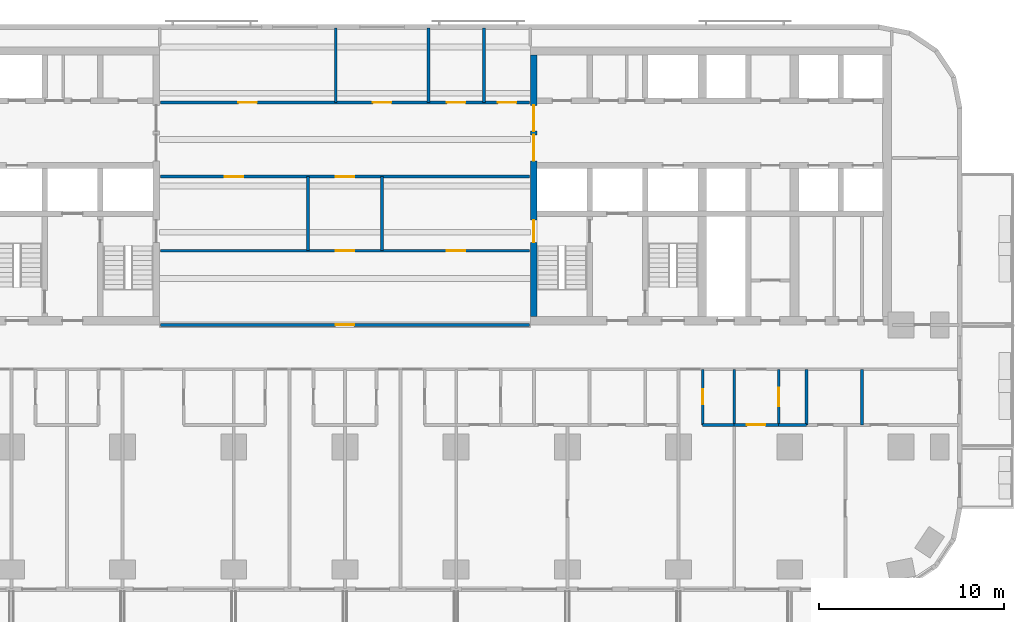
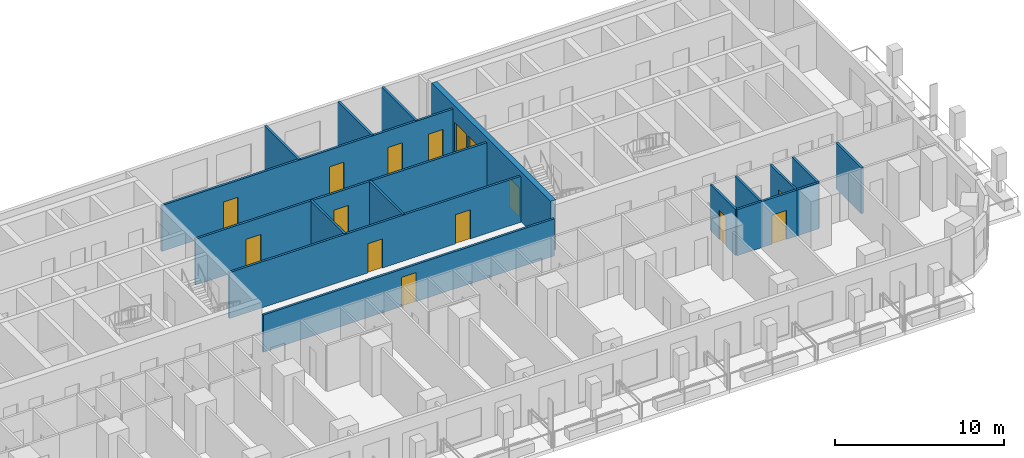
# One storey, part 7 of 15: 18 walls, 15 doors, 15 openings.
"""IFC4 building model written with IfcOpenShell, lengths in metres."""

from ifc_helpers import new_model, si_unit, direction, frame, frame_2d, origin, place, context, subcontext, project, spatial, rectangle, extrude, material, layer, layer_set, type_object, element, fill, save


model = new_model("IFC4")

# Units and contexts
model_context = context("Model", 3, precision=1e-05, world=origin(), true_north=direction((0.0, 1.0)))
body_context = subcontext(model_context, "Body", "Model", "MODEL_VIEW")
ifc_project = project(units=[si_unit("LENGTHUNIT", "METRE"), si_unit("AREAUNIT", "SQUARE_METRE"), si_unit("VOLUMEUNIT", "CUBIC_METRE"), si_unit("PLANEANGLEUNIT", "RADIAN"), si_unit("MASSUNIT", "GRAM", prefix="KILO")], contexts=[model_context])

# Site, building, storey
site_placement = place(None, origin())
site = spatial("IfcSite", under=ifc_project, at=site_placement, CompositionType="ELEMENT")
building_placement = place(site_placement, origin())
building = spatial("IfcBuilding", under=site, at=building_placement, Name="Torana Hotel and Residences", CompositionType="ELEMENT")
storey_placement = place(building_placement, frame((0.0, 0.0, 49.199951171875)))
storey = spatial("IfcBuildingStorey", under=building, at=storey_placement, Name="L11", CompositionType="ELEMENT", Elevation=49.199951171875)

# Wall, openings, doors
ifc_material_1 = material(Name="Concrete C80/95", Category="concrete")
ifc_layer_1 = layer(ifc_material_1, 0.35009765625)
ifc_layer_set_1 = layer_set([ifc_layer_1], Name="CORE WALL 350 C80/95")
wall_type_1 = type_object("IfcWallType", Name="CORE WALL 350 C80/95", PredefinedType="SHEAR", material=ifc_layer_set_1)
wall_1_placement = place(storey_placement, frame((10.175048828125, -14.550048828125, 0.0), z_axis=(0.0, 0.0, 1.0), x_axis=(0.0, 1.0, 0.0)))
wall_1 = element("IfcWall", 1, at=wall_1_placement, inside=storey, type_object=wall_type_1, Name="Core wall E arch", PredefinedType="SHEAR", context=body_context, shape_type="SweptSolid", body=[
    extrude(rectangle(XDim=14.10009765625, YDim=0.35009765625, at=frame_2d((7.050048828125, 0.0))), origin(), (0.0, 0.0, 1.0), 3.60009765625),
])
opening_1_placement = place(wall_1_placement, frame((8.39990234375, 0.0, 0.0)))
opening_1 = element("IfcOpeningElement", 2, at=opening_1_placement, cuts=wall_1, Name="Opening L11-19", PredefinedType="OPENING", context=body_context, shape_type="SweptSolid", body=[
    extrude(rectangle(XDim=1.39990234375, YDim=2.39990234375, at=frame_2d((0.699951171875, 1.199951171875))), frame((0.0, 0.18505859375, 0.0), z_axis=(0.0, -1.0, 0.0), x_axis=(1.0, 0.0, 0.0)), (0.0, 0.0, 1.0), 0.3701171875),
])
opening_2_placement = place(wall_1_placement, frame((10.0, 0.0, 0.0)))
opening_2 = element("IfcOpeningElement", 3, at=opening_2_placement, cuts=wall_1, Name="Opening L11-20", PredefinedType="OPENING", context=body_context, shape_type="SweptSolid", body=[
    extrude(rectangle(XDim=1.39990234375, YDim=2.39990234375, at=frame_2d((0.699951171875, 1.199951171875))), frame((0.0, 0.18505859375, 0.0), z_axis=(0.0, -1.0, 0.0), x_axis=(1.0, 0.0, 0.0)), (0.0, 0.0, 1.0), 0.3701171875),
])
opening_3_placement = place(wall_1_placement, frame((4.0, 0.0, 0.0)))
opening_3 = element("IfcOpeningElement", 4, at=opening_3_placement, cuts=wall_1, Name="Opening L11-21", PredefinedType="OPENING", context=body_context, shape_type="SweptSolid", body=[
    extrude(rectangle(XDim=1.199951171875, YDim=2.10009765625, at=frame_2d((0.60009765625, 1.050048828125))), frame((0.0, 0.18505859375, 0.0), z_axis=(0.0, -1.0, 0.0), x_axis=(1.0, 0.0, 0.0)), (0.0, 0.0, 1.0), 0.3701171875),
])
ifc_material_2 = material(Name="Steel S235", Category="steel")
door_type_1 = type_object("IfcDoorType", Name="LOBBY FIRE DOOR D4 1400x2400", OperationType="DOUBLE_DOOR_SINGLE_SWING", PredefinedType="DOOR", material=ifc_material_2)
door_1_placement = place(opening_1_placement, origin())
door_1 = element("IfcDoor", 5, at=door_1_placement, inside=storey, type_object=door_type_1, Name="Lobby-1 door L11", OperationType="DOUBLE_DOOR_SINGLE_SWING", OverallHeight=2.39990234375, OverallWidth=1.39990234375, PredefinedType="DOOR", context=body_context, shape_type="SweptSolid", body=[
    extrude(rectangle(XDim=1.39990234375, YDim=2.39990234375, at=frame_2d((0.699951171875, 1.199951171875))), frame((0.0, 0.02490234375, 0.0), z_axis=(0.0, -1.0, 0.0), x_axis=(1.0, 0.0, 0.0)), (0.0, 0.0, 1.0), 0.050048828125),
])
fill(opening_1, door_1)
door_2_placement = place(opening_2_placement, origin())
door_2 = element("IfcDoor", 6, at=door_2_placement, inside=storey, type_object=door_type_1, Name="Lobby-2 door L11", OperationType="DOUBLE_DOOR_SINGLE_SWING", OverallHeight=2.39990234375, OverallWidth=1.39990234375, PredefinedType="DOOR", context=body_context, shape_type="SweptSolid", body=[
    extrude(rectangle(XDim=1.39990234375, YDim=2.39990234375, at=frame_2d((0.699951171875, 1.199951171875))), frame((0.0, 0.02490234375, 0.0), z_axis=(0.0, -1.0, 0.0), x_axis=(1.0, 0.0, 0.0)), (0.0, 0.0, 1.0), 0.050048828125),
])
fill(opening_2, door_2)
ifc_material_3 = material(Name="Steel S235", Category="steel")
door_type_2 = type_object("IfcDoorType", Name="STAIR FIRE DOOR D3 1200x2100", OperationType="SINGLE_SWING_LEFT", PredefinedType="DOOR", material=ifc_material_3)
door_3_placement = place(opening_3_placement, frame((0.60009765625, 0.0, 0.0), z_axis=(0.0, 0.0, 1.0), x_axis=(-1.0, 0.0, 0.0)))
door_3 = element("IfcDoor", 7, at=door_3_placement, inside=storey, type_object=door_type_2, Name="Stair-A door L11", OperationType="SINGLE_SWING_RIGHT", OverallHeight=2.10009765625, OverallWidth=1.199951171875, PredefinedType="DOOR", context=body_context, shape_type="SweptSolid", body=[
    extrude(rectangle(XDim=1.199951171875, YDim=2.10009765625, at=frame_2d((0.0, 1.050048828125))), frame((0.0, -0.02490234375, 0.0), z_axis=(0.0, 1.0, 0.0), x_axis=(-1.0, 0.0, 0.0)), (0.0, 0.0, 1.0), 0.050048828125),
])
fill(opening_3, door_3)

# Wall, opening, door
ifc_material_4 = material(Name="Gypsum plaster")
ifc_layer_2 = layer(ifc_material_4, 0.014892578125, Name="Plaster", Category="finish")
ifc_material_5 = material(Name="Concrete blockwork", Category="masonry")
ifc_layer_3 = layer(ifc_material_5, 0.1201171875, Name="Blockwork", Category="structure")
ifc_layer_4 = layer(ifc_material_4, 0.014892578125, Name="Plaster", Category="finish")
ifc_layer_set_2 = layer_set([ifc_layer_2, ifc_layer_3, ifc_layer_4], Name="FIRE PARTITION 150 BLOCKWORK")
wall_type_2 = type_object("IfcWallType", Name="FIRE PARTITION 150 BLOCKWORK", PredefinedType="PARTITIONING", material=ifc_layer_set_2)
wall_2_placement = place(storey_placement, frame((23.39990234375, -20.39990234375, 0.0), z_axis=(0.0, 0.0, 1.0), x_axis=(0.0, 1.0, 0.0)))
wall_2 = element("IfcWall", 8, at=wall_2_placement, inside=storey, type_object=wall_type_2, Name="Partition L11", PredefinedType="PARTITIONING", context=body_context, shape_type="SweptSolid", body=[
    extrude(rectangle(XDim=3.0, YDim=0.14990234375, at=frame_2d((1.5, 0.0))), origin(), (0.0, 0.0, 1.0), 3.320068359375),
])
opening_4_placement = place(wall_2_placement, frame((1.02001953125, 0.0, 0.0)))
opening_4 = element("IfcOpeningElement", 9, at=opening_4_placement, cuts=wall_2, Name="Opening L11-84", PredefinedType="OPENING", context=body_context, shape_type="SweptSolid", body=[
    extrude(rectangle(XDim=1.0, YDim=2.10009765625, at=frame_2d((0.5, 1.050048828125))), frame((0.0, 0.0849609375, 0.0), z_axis=(0.0, -1.0, 0.0), x_axis=(1.0, 0.0, 0.0)), (0.0, 0.0, 1.0), 0.169921875),
])
ifc_material_6 = material(Name="Steel S235", Category="steel")
door_type_3 = type_object("IfcDoorType", Name="ENTRY FIRE DOOR D6 1000x2100", OperationType="SINGLE_SWING_LEFT", PredefinedType="DOOR", material=ifc_material_6)
door_4_placement = place(opening_4_placement, frame((0.5, 0.0, 0.0), z_axis=(0.0, 0.0, 1.0), x_axis=(-1.0, 0.0, 0.0)))
door_4 = element("IfcDoor", 10, at=door_4_placement, inside=storey, type_object=door_type_3, Name="Door L11", OperationType="SINGLE_SWING_LEFT", OverallHeight=2.10009765625, OverallWidth=1.0, PredefinedType="DOOR", context=body_context, shape_type="SweptSolid", body=[
    extrude(rectangle(XDim=1.0, YDim=2.10009765625, at=frame_2d((0.0, 1.050048828125))), frame((0.0, -0.02490234375, 0.0), z_axis=(0.0, 1.0, 0.0), x_axis=(-1.0, 0.0, 0.0)), (0.0, 0.0, 1.0), 0.050048828125),
])
fill(opening_4, door_4)

# Walls
wall_3_placement = place(storey_placement, frame((21.0, -20.39990234375, 0.0), z_axis=(0.0, 0.0, 1.0), x_axis=(0.0, 1.0, 0.0)))
element("IfcWall", 11, at=wall_3_placement, inside=storey, type_object=wall_type_2, Name="Partition L11", PredefinedType="PARTITIONING", context=body_context, shape_type="SweptSolid", body=[
    extrude(rectangle(XDim=3.0, YDim=0.14990234375, at=frame_2d((1.5, 0.0))), origin(), (0.0, 0.0, 1.0), 3.320068359375),
])
for number, where, z_axis, x_axis, name in (
    (12, (2.0, -11.0, 0.0), (0.0, 0.0, 1.0), (0.0, 1.0, 0.0), "Partition L11"),
    (13, (-2.0, -11.0, 0.0), (0.0, 0.0, 1.0), (0.0, 1.0, 0.0), "Partition L11"),
):
    element("IfcWall", number, at=place(storey_placement, frame(where, z_axis=z_axis, x_axis=x_axis)), inside=storey, type_object=wall_type_2, Name=name, PredefinedType="PARTITIONING", context=body_context, shape_type="SweptSolid", body=[
        extrude(rectangle(XDim=4.0, YDim=0.14990234375, at=frame_2d((2.0, 0.0))), origin(), (0.0, 0.0, 1.0), 3.320068359375),
    ])

# Wall, opening, door
wall_4_placement = place(storey_placement, frame((21.0, -20.39990234375, 0.0), z_axis=(0.0, 0.0, 1.0), x_axis=(1.0, 0.0, 0.0)))
wall_4 = element("IfcWall", 14, at=wall_4_placement, inside=storey, type_object=wall_type_2, Name="Partition L11", PredefinedType="PARTITIONING", context=body_context, shape_type="SweptSolid", body=[
    extrude(rectangle(XDim=2.39990234375, YDim=0.14990234375, at=frame_2d((1.199951171875, 0.0))), origin(), (0.0, 0.0, 1.0), 3.320068359375),
])
opening_5_placement = place(wall_4_placement, frame((0.679931640625, 0.0, 0.0)))
opening_5 = element("IfcOpeningElement", 15, at=opening_5_placement, cuts=wall_4, Name="Opening L11-85", PredefinedType="OPENING", context=body_context, shape_type="SweptSolid", body=[
    extrude(rectangle(XDim=1.0, YDim=2.10009765625, at=frame_2d((0.5, 1.050048828125))), frame((0.0, 0.0849609375, 0.0), z_axis=(0.0, -1.0, 0.0), x_axis=(1.0, 0.0, 0.0)), (0.0, 0.0, 1.0), 0.169921875),
])
door_5_placement = place(opening_5_placement, frame((0.5, 0.0, 0.0), z_axis=(0.0, 0.0, 1.0), x_axis=(-1.0, 0.0, 0.0)))
door_5 = element("IfcDoor", 16, at=door_5_placement, inside=storey, type_object=door_type_3, Name="Door L11", OperationType="SINGLE_SWING_LEFT", OverallHeight=2.10009765625, OverallWidth=1.0, PredefinedType="DOOR", context=body_context, shape_type="SweptSolid", body=[
    extrude(rectangle(XDim=1.0, YDim=2.10009765625, at=frame_2d((0.0, 1.050048828125))), frame((0.0, -0.02490234375, 0.0), z_axis=(0.0, 1.0, 0.0), x_axis=(-1.0, 0.0, 0.0)), (0.0, 0.0, 1.0), 0.050048828125),
])
fill(opening_5, door_5)

wall_5_placement = place(storey_placement, frame((-9.949951171875, -15.0, 0.0), z_axis=(0.0, 0.0, 1.0), x_axis=(1.0, 0.0, 0.0)))
wall_5 = element("IfcWall", 17, at=wall_5_placement, inside=storey, type_object=wall_type_2, Name="Partition L11", PredefinedType="PARTITIONING", context=body_context, shape_type="SweptSolid", body=[
    extrude(rectangle(XDim=19.89990234375, YDim=0.14990234375, at=frame_2d((9.949951171875, 0.0))), origin(), (0.0, 0.0, 1.0), 2.68408203125),
])
opening_6_placement = place(wall_5_placement, frame((9.449951171875, 0.0, 0.0)))
opening_6 = element("IfcOpeningElement", 18, at=opening_6_placement, cuts=wall_5, Name="Opening L11-39", PredefinedType="OPENING", context=body_context, shape_type="SweptSolid", body=[
    extrude(rectangle(XDim=1.0, YDim=2.10009765625, at=frame_2d((0.5, 1.050048828125))), frame((0.0, 0.0849609375, 0.0), z_axis=(0.0, -1.0, 0.0), x_axis=(1.0, 0.0, 0.0)), (0.0, 0.0, 1.0), 0.169921875),
])
door_6_placement = place(opening_6_placement, origin())
door_6 = element("IfcDoor", 19, at=door_6_placement, inside=storey, type_object=door_type_3, Name="Door L11", OperationType="SINGLE_SWING_RIGHT", OverallHeight=2.10009765625, OverallWidth=1.0, PredefinedType="DOOR", context=body_context, shape_type="SweptSolid", body=[
    extrude(rectangle(XDim=1.0, YDim=2.10009765625, at=frame_2d((0.5, 1.050048828125))), frame((0.0, 0.02490234375, 0.0), z_axis=(0.0, -1.0, 0.0), x_axis=(1.0, 0.0, 0.0)), (0.0, 0.0, 1.0), 0.050048828125),
])
fill(opening_6, door_6)

# Wall, openings, doors
wall_6_placement = place(storey_placement, frame((-9.949951171875, -11.0, 0.0), z_axis=(0.0, 0.0, 1.0), x_axis=(1.0, 0.0, 0.0)))
wall_6 = element("IfcWall", 20, at=wall_6_placement, inside=storey, type_object=wall_type_2, Name="Partition L11", PredefinedType="PARTITIONING", context=body_context, shape_type="SweptSolid", body=[
    extrude(rectangle(XDim=19.89990234375, YDim=0.14990234375, at=frame_2d((9.949951171875, 0.0))), origin(), (0.0, 0.0, 1.0), 3.320068359375),
])
opening_7_placement = place(wall_6_placement, frame((9.449951171875, 0.0, 0.0)))
opening_7 = element("IfcOpeningElement", 21, at=opening_7_placement, cuts=wall_6, Name="Opening L11-55", PredefinedType="OPENING", context=body_context, shape_type="SweptSolid", body=[
    extrude(rectangle(XDim=1.0, YDim=2.10009765625, at=frame_2d((0.5, 1.050048828125))), frame((0.0, 0.0849609375, 0.0), z_axis=(0.0, -1.0, 0.0), x_axis=(1.0, 0.0, 0.0)), (0.0, 0.0, 1.0), 0.169921875),
])
opening_8_placement = place(wall_6_placement, frame((15.449951171875, 0.0, 0.0)))
opening_8 = element("IfcOpeningElement", 22, at=opening_8_placement, cuts=wall_6, Name="Opening L11-56", PredefinedType="OPENING", context=body_context, shape_type="SweptSolid", body=[
    extrude(rectangle(XDim=1.0, YDim=2.10009765625, at=frame_2d((0.5, 1.050048828125))), frame((0.0, 0.0849609375, 0.0), z_axis=(0.0, -1.0, 0.0), x_axis=(1.0, 0.0, 0.0)), (0.0, 0.0, 1.0), 0.169921875),
])
door_7_placement = place(opening_7_placement, origin())
door_7 = element("IfcDoor", 23, at=door_7_placement, inside=storey, type_object=door_type_3, Name="Door L11", OperationType="SINGLE_SWING_RIGHT", OverallHeight=2.10009765625, OverallWidth=1.0, PredefinedType="DOOR", context=body_context, shape_type="SweptSolid", body=[
    extrude(rectangle(XDim=1.0, YDim=2.10009765625, at=frame_2d((0.5, 1.050048828125))), frame((0.0, 0.02490234375, 0.0), z_axis=(0.0, -1.0, 0.0), x_axis=(1.0, 0.0, 0.0)), (0.0, 0.0, 1.0), 0.050048828125),
])
fill(opening_7, door_7)
door_8_placement = place(opening_8_placement, origin())
door_8 = element("IfcDoor", 24, at=door_8_placement, inside=storey, type_object=door_type_3, Name="Door L11", OperationType="SINGLE_SWING_RIGHT", OverallHeight=2.10009765625, OverallWidth=1.0, PredefinedType="DOOR", context=body_context, shape_type="SweptSolid", body=[
    extrude(rectangle(XDim=1.0, YDim=2.10009765625, at=frame_2d((0.5, 1.050048828125))), frame((0.0, 0.02490234375, 0.0), z_axis=(0.0, -1.0, 0.0), x_axis=(1.0, 0.0, 0.0)), (0.0, 0.0, 1.0), 0.050048828125),
])
fill(opening_8, door_8)

wall_7_placement = place(storey_placement, frame((-9.949951171875, -7.0, 0.0), z_axis=(0.0, 0.0, 1.0), x_axis=(1.0, 0.0, 0.0)))
wall_7 = element("IfcWall", 25, at=wall_7_placement, inside=storey, type_object=wall_type_2, Name="Partition L11", PredefinedType="PARTITIONING", context=body_context, shape_type="SweptSolid", body=[
    extrude(rectangle(XDim=19.89990234375, YDim=0.14990234375, at=frame_2d((9.949951171875, 0.0))), origin(), (0.0, 0.0, 1.0), 3.320068359375),
])
opening_9_placement = place(wall_7_placement, frame((9.449951171875, 0.0, 0.0)))
opening_9 = element("IfcOpeningElement", 26, at=opening_9_placement, cuts=wall_7, Name="Opening L11-57", PredefinedType="OPENING", context=body_context, shape_type="SweptSolid", body=[
    extrude(rectangle(XDim=1.0, YDim=2.10009765625, at=frame_2d((0.5, 1.050048828125))), frame((0.0, 0.0849609375, 0.0), z_axis=(0.0, -1.0, 0.0), x_axis=(1.0, 0.0, 0.0)), (0.0, 0.0, 1.0), 0.169921875),
])
opening_10_placement = place(wall_7_placement, frame((3.449951171875, 0.0, 0.0)))
opening_10 = element("IfcOpeningElement", 27, at=opening_10_placement, cuts=wall_7, Name="Opening L11-58", PredefinedType="OPENING", context=body_context, shape_type="SweptSolid", body=[
    extrude(rectangle(XDim=1.0, YDim=2.10009765625, at=frame_2d((0.5, 1.050048828125))), frame((0.0, 0.0849609375, 0.0), z_axis=(0.0, -1.0, 0.0), x_axis=(1.0, 0.0, 0.0)), (0.0, 0.0, 1.0), 0.169921875),
])
door_9_placement = place(opening_9_placement, origin())
door_9 = element("IfcDoor", 28, at=door_9_placement, inside=storey, type_object=door_type_3, Name="Door L11", OperationType="SINGLE_SWING_RIGHT", OverallHeight=2.10009765625, OverallWidth=1.0, PredefinedType="DOOR", context=body_context, shape_type="SweptSolid", body=[
    extrude(rectangle(XDim=1.0, YDim=2.10009765625, at=frame_2d((0.5, 1.050048828125))), frame((0.0, 0.02490234375, 0.0), z_axis=(0.0, -1.0, 0.0), x_axis=(1.0, 0.0, 0.0)), (0.0, 0.0, 1.0), 0.050048828125),
])
fill(opening_9, door_9)
door_10_placement = place(opening_10_placement, frame((0.5, 0.0, 0.0), z_axis=(0.0, 0.0, 1.0), x_axis=(-1.0, 0.0, 0.0)))
door_10 = element("IfcDoor", 29, at=door_10_placement, inside=storey, type_object=door_type_3, Name="Door L11", OperationType="SINGLE_SWING_LEFT", OverallHeight=2.10009765625, OverallWidth=1.0, PredefinedType="DOOR", context=body_context, shape_type="SweptSolid", body=[
    extrude(rectangle(XDim=1.0, YDim=2.10009765625, at=frame_2d((0.0, 1.050048828125))), frame((0.0, -0.02490234375, 0.0), z_axis=(0.0, 1.0, 0.0), x_axis=(-1.0, 0.0, 0.0)), (0.0, 0.0, 1.0), 0.050048828125),
])
fill(opening_10, door_10)

wall_8_placement = place(storey_placement, frame((-9.949951171875, -3.0, 0.0), z_axis=(0.0, 0.0, 1.0), x_axis=(1.0, 0.0, 0.0)))
wall_8 = element("IfcWall", 30, at=wall_8_placement, inside=storey, type_object=wall_type_2, Name="Partition L11", PredefinedType="PARTITIONING", context=body_context, shape_type="SweptSolid", body=[
    extrude(rectangle(XDim=19.89990234375, YDim=0.14990234375, at=frame_2d((9.949951171875, 0.0))), origin(), (0.0, 0.0, 1.0), 3.320068359375),
])
opening_11_placement = place(wall_8_placement, frame((4.199951171875, 0.0, 0.0)))
opening_11 = element("IfcOpeningElement", 31, at=opening_11_placement, cuts=wall_8, Name="Opening L11-59", PredefinedType="OPENING", context=body_context, shape_type="SweptSolid", body=[
    extrude(rectangle(XDim=1.0, YDim=2.10009765625, at=frame_2d((0.5, 1.050048828125))), frame((0.0, 0.0849609375, 0.0), z_axis=(0.0, -1.0, 0.0), x_axis=(1.0, 0.0, 0.0)), (0.0, 0.0, 1.0), 0.169921875),
])
opening_12_placement = place(wall_8_placement, frame((11.449951171875, 0.0, 0.0)))
opening_12 = element("IfcOpeningElement", 32, at=opening_12_placement, cuts=wall_8, Name="Opening L11-60", PredefinedType="OPENING", context=body_context, shape_type="SweptSolid", body=[
    extrude(rectangle(XDim=1.0, YDim=2.10009765625, at=frame_2d((0.5, 1.050048828125))), frame((0.0, 0.0849609375, 0.0), z_axis=(0.0, -1.0, 0.0), x_axis=(1.0, 0.0, 0.0)), (0.0, 0.0, 1.0), 0.169921875),
])
opening_13_placement = place(wall_8_placement, frame((15.449951171875, 0.0, 0.0)))
opening_13 = element("IfcOpeningElement", 33, at=opening_13_placement, cuts=wall_8, Name="Opening L11-61", PredefinedType="OPENING", context=body_context, shape_type="SweptSolid", body=[
    extrude(rectangle(XDim=1.0, YDim=2.10009765625, at=frame_2d((0.5, 1.050048828125))), frame((0.0, 0.0849609375, 0.0), z_axis=(0.0, -1.0, 0.0), x_axis=(1.0, 0.0, 0.0)), (0.0, 0.0, 1.0), 0.169921875),
])
opening_14_placement = place(wall_8_placement, frame((18.199951171875, 0.0, 0.0)))
opening_14 = element("IfcOpeningElement", 34, at=opening_14_placement, cuts=wall_8, Name="Opening L11-62", PredefinedType="OPENING", context=body_context, shape_type="SweptSolid", body=[
    extrude(rectangle(XDim=1.0, YDim=2.10009765625, at=frame_2d((0.5, 1.050048828125))), frame((0.0, 0.0849609375, 0.0), z_axis=(0.0, -1.0, 0.0), x_axis=(1.0, 0.0, 0.0)), (0.0, 0.0, 1.0), 0.169921875),
])
door_11_placement = place(opening_11_placement, origin())
door_11 = element("IfcDoor", 35, at=door_11_placement, inside=storey, type_object=door_type_3, Name="Door L11", OperationType="SINGLE_SWING_RIGHT", OverallHeight=2.10009765625, OverallWidth=1.0, PredefinedType="DOOR", context=body_context, shape_type="SweptSolid", body=[
    extrude(rectangle(XDim=1.0, YDim=2.10009765625, at=frame_2d((0.5, 1.050048828125))), frame((0.0, 0.02490234375, 0.0), z_axis=(0.0, -1.0, 0.0), x_axis=(1.0, 0.0, 0.0)), (0.0, 0.0, 1.0), 0.050048828125),
])
fill(opening_11, door_11)
door_12_placement = place(opening_12_placement, origin())
door_12 = element("IfcDoor", 36, at=door_12_placement, inside=storey, type_object=door_type_3, Name="Door L11", OperationType="SINGLE_SWING_RIGHT", OverallHeight=2.10009765625, OverallWidth=1.0, PredefinedType="DOOR", context=body_context, shape_type="SweptSolid", body=[
    extrude(rectangle(XDim=1.0, YDim=2.10009765625, at=frame_2d((0.5, 1.050048828125))), frame((0.0, 0.02490234375, 0.0), z_axis=(0.0, -1.0, 0.0), x_axis=(1.0, 0.0, 0.0)), (0.0, 0.0, 1.0), 0.050048828125),
])
fill(opening_12, door_12)
door_13_placement = place(opening_13_placement, origin())
door_13 = element("IfcDoor", 37, at=door_13_placement, inside=storey, type_object=door_type_3, Name="Door L11", OperationType="SINGLE_SWING_RIGHT", OverallHeight=2.10009765625, OverallWidth=1.0, PredefinedType="DOOR", context=body_context, shape_type="SweptSolid", body=[
    extrude(rectangle(XDim=1.0, YDim=2.10009765625, at=frame_2d((0.5, 1.050048828125))), frame((0.0, 0.02490234375, 0.0), z_axis=(0.0, -1.0, 0.0), x_axis=(1.0, 0.0, 0.0)), (0.0, 0.0, 1.0), 0.050048828125),
])
fill(opening_13, door_13)
door_14_placement = place(opening_14_placement, origin())
door_14 = element("IfcDoor", 38, at=door_14_placement, inside=storey, type_object=door_type_3, Name="Door L11", OperationType="SINGLE_SWING_RIGHT", OverallHeight=2.10009765625, OverallWidth=1.0, PredefinedType="DOOR", context=body_context, shape_type="SweptSolid", body=[
    extrude(rectangle(XDim=1.0, YDim=2.10009765625, at=frame_2d((0.5, 1.050048828125))), frame((0.0, 0.02490234375, 0.0), z_axis=(0.0, -1.0, 0.0), x_axis=(1.0, 0.0, 0.0)), (0.0, 0.0, 1.0), 0.050048828125),
])
fill(opening_14, door_14)

# Wall
ifc_material_7 = material(Name="Gypsum plasterboard")
ifc_layer_5 = layer(ifc_material_7, 0.012451171875, Name="Plasterboard", Category="finish")
ifc_layer_6 = layer(ifc_material_7, 0.012451171875, Name="Plasterboard", Category="finish")
ifc_material_8 = material(Name="Steel S280GD", Category="steel")
ifc_layer_7 = layer(ifc_material_8, 0.10009765625, Name="Steel studs with mineral wool", Category="insulation")
ifc_layer_8 = layer(ifc_material_7, 0.012451171875, Name="Plasterboard", Category="finish")
ifc_layer_9 = layer(ifc_material_7, 0.012451171875, Name="Plasterboard", Category="finish")
ifc_layer_set_3 = layer_set([ifc_layer_5, ifc_layer_6, ifc_layer_7, ifc_layer_8, ifc_layer_9], Name="PARTITION 150 PLASTERBOARD")
wall_type_3 = type_object("IfcWallType", Name="PARTITION 150 PLASTERBOARD", PredefinedType="PARTITIONING", material=ifc_layer_set_3)
wall_9_placement = place(storey_placement, frame((27.89990234375, -20.39990234375, 0.0), z_axis=(0.0, 0.0, 1.0), x_axis=(0.0, 1.0, 0.0)))
element("IfcWall", 39, at=wall_9_placement, inside=storey, type_object=wall_type_3, Name="Partition L11", PredefinedType="PARTITIONING", context=body_context, shape_type="SweptSolid", body=[
    extrude(rectangle(XDim=3.0, YDim=0.14990234375, at=frame_2d((1.5, 0.0))), origin(), (0.0, 0.0, 1.0), 3.320068359375),
])

# Wall, opening, door
wall_10_placement = place(storey_placement, frame((19.300048828125, -20.39990234375, 0.0), z_axis=(0.0, 0.0, 1.0), x_axis=(0.0, 1.0, 0.0)))
wall_10 = element("IfcWall", 40, at=wall_10_placement, inside=storey, type_object=wall_type_3, Name="Partition L11", PredefinedType="PARTITIONING", context=body_context, shape_type="SweptSolid", body=[
    extrude(rectangle(XDim=3.0, YDim=0.14990234375, at=frame_2d((1.5, 0.0))), origin(), (0.0, 0.0, 1.0), 3.320068359375),
])
opening_15_placement = place(wall_10_placement, frame((1.1201171875, 0.0, 0.0)))
opening_15 = element("IfcOpeningElement", 41, at=opening_15_placement, cuts=wall_10, Name="Opening L11-78", PredefinedType="OPENING", context=body_context, shape_type="SweptSolid", body=[
    extrude(rectangle(XDim=0.800048828125, YDim=2.10009765625, at=frame_2d((0.39990234375, 1.050048828125))), frame((0.0, 0.0849609375, 0.0), z_axis=(0.0, -1.0, 0.0), x_axis=(1.0, 0.0, 0.0)), (0.0, 0.0, 1.0), 0.169921875),
])
ifc_material_9 = material(Name="Timber door, painted", Category="wood")
door_type_4 = type_object("IfcDoorType", Name="BATH DOOR D13 800x2100", OperationType="SINGLE_SWING_LEFT", PredefinedType="DOOR", material=ifc_material_9)
door_15_placement = place(opening_15_placement, origin())
door_15 = element("IfcDoor", 42, at=door_15_placement, inside=storey, type_object=door_type_4, Name="Door L11", OperationType="SINGLE_SWING_LEFT", OverallHeight=2.10009765625, OverallWidth=0.800048828125, PredefinedType="DOOR", context=body_context, shape_type="SweptSolid", body=[
    extrude(rectangle(XDim=0.800048828125, YDim=2.10009765625, at=frame_2d((0.39990234375, 1.050048828125))), frame((0.0, 0.02490234375, 0.0), z_axis=(0.0, -1.0, 0.0), x_axis=(1.0, 0.0, 0.0)), (0.0, 0.0, 1.0), 0.050048828125),
])
fill(opening_15, door_15)

# Walls
wall_11_placement = place(storey_placement, frame((-0.5, -3.0, 0.0), z_axis=(0.0, 0.0, 1.0), x_axis=(0.0, 1.0, 0.0)))
element("IfcWall", 43, at=wall_11_placement, inside=storey, type_object=wall_type_3, Name="Partition L11", PredefinedType="PARTITIONING", context=body_context, shape_type="SweptSolid", body=[
    extrude(rectangle(XDim=4.02001953125, YDim=0.14990234375, at=frame_2d((2.010009765625, 0.0))), origin(), (0.0, 0.0, 1.0), 3.320068359375),
])
wall_12_placement = place(storey_placement, frame((19.300048828125, -20.39990234375, 0.0), z_axis=(0.0, 0.0, 1.0), x_axis=(1.0, 0.0, 0.0)))
element("IfcWall", 44, at=wall_12_placement, inside=storey, type_object=wall_type_3, Name="Partition L11", PredefinedType="PARTITIONING", context=body_context, shape_type="SweptSolid", body=[
    extrude(rectangle(XDim=1.699951171875, YDim=0.14990234375, at=frame_2d((0.85009765625, 0.0))), origin(), (0.0, 0.0, 1.0), 3.320068359375),
])
ifc_material_10 = material(Name="Ceramic tile on adhesive")
ifc_layer_10 = layer(ifc_material_10, 0.010009765625, Name="Wall tile", Category="finish")
ifc_material_11 = material(Name="Cement render")
ifc_layer_11 = layer(ifc_material_11, 0.010009765625, Name="Render", Category="finish")
ifc_layer_12 = layer(ifc_material_5, 0.110107421875, Name="Blockwork", Category="structure")
ifc_layer_13 = layer(ifc_material_11, 0.010009765625, Name="Render", Category="finish")
ifc_layer_14 = layer(ifc_material_10, 0.010009765625, Name="Wall tile", Category="finish")
ifc_layer_set_4 = layer_set([ifc_layer_10, ifc_layer_11, ifc_layer_12, ifc_layer_13, ifc_layer_14], Name="WC PARTITION 150")
wall_type_4 = type_object("IfcWallType", Name="WC PARTITION 150", PredefinedType="PLUMBINGWALL", material=ifc_layer_set_4)
wall_13_placement = place(storey_placement, frame((24.89990234375, -20.39990234375, 0.0), z_axis=(0.0, 0.0, 1.0), x_axis=(0.0, 1.0, 0.0)))
element("IfcWall", 45, at=wall_13_placement, inside=storey, type_object=wall_type_4, Name="Partition L11", PredefinedType="PLUMBINGWALL", context=body_context, shape_type="SweptSolid", body=[
    extrude(rectangle(XDim=3.0, YDim=0.14990234375, at=frame_2d((1.5, 0.0))), origin(), (0.0, 0.0, 1.0), 3.320068359375),
])
for number, where, z_axis, x_axis, name in (
    (46, (7.5, -3.0, 0.0), (0.0, 0.0, 1.0), (0.0, 1.0, 0.0), "Partition L11"),
    (47, (4.5, -3.0, 0.0), (0.0, 0.0, 1.0), (0.0, 1.0, 0.0), "Partition L11"),
):
    element("IfcWall", number, at=place(storey_placement, frame(where, z_axis=z_axis, x_axis=x_axis)), inside=storey, type_object=wall_type_4, Name=name, PredefinedType="PLUMBINGWALL", context=body_context, shape_type="SweptSolid", body=[
        extrude(rectangle(XDim=4.02001953125, YDim=0.14990234375, at=frame_2d((2.010009765625, 0.0))), origin(), (0.0, 0.0, 1.0), 3.320068359375),
    ])
wall_14_placement = place(storey_placement, frame((23.39990234375, -20.39990234375, 0.0), z_axis=(0.0, 0.0, 1.0), x_axis=(1.0, 0.0, 0.0)))
element("IfcWall", 48, at=wall_14_placement, inside=storey, type_object=wall_type_4, Name="Partition L11", PredefinedType="PLUMBINGWALL", context=body_context, shape_type="SweptSolid", body=[
    extrude(rectangle(XDim=1.5, YDim=0.14990234375, at=frame_2d((0.75, 0.0))), origin(), (0.0, 0.0, 1.0), 3.320068359375),
])

save(model, "model.ifc")
